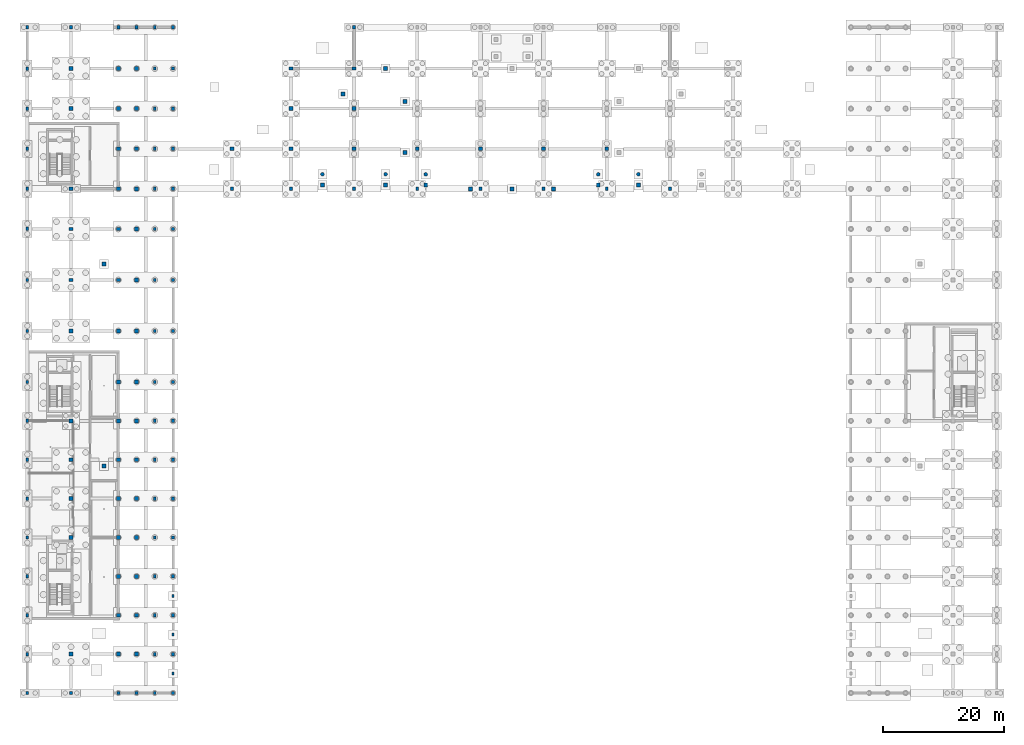
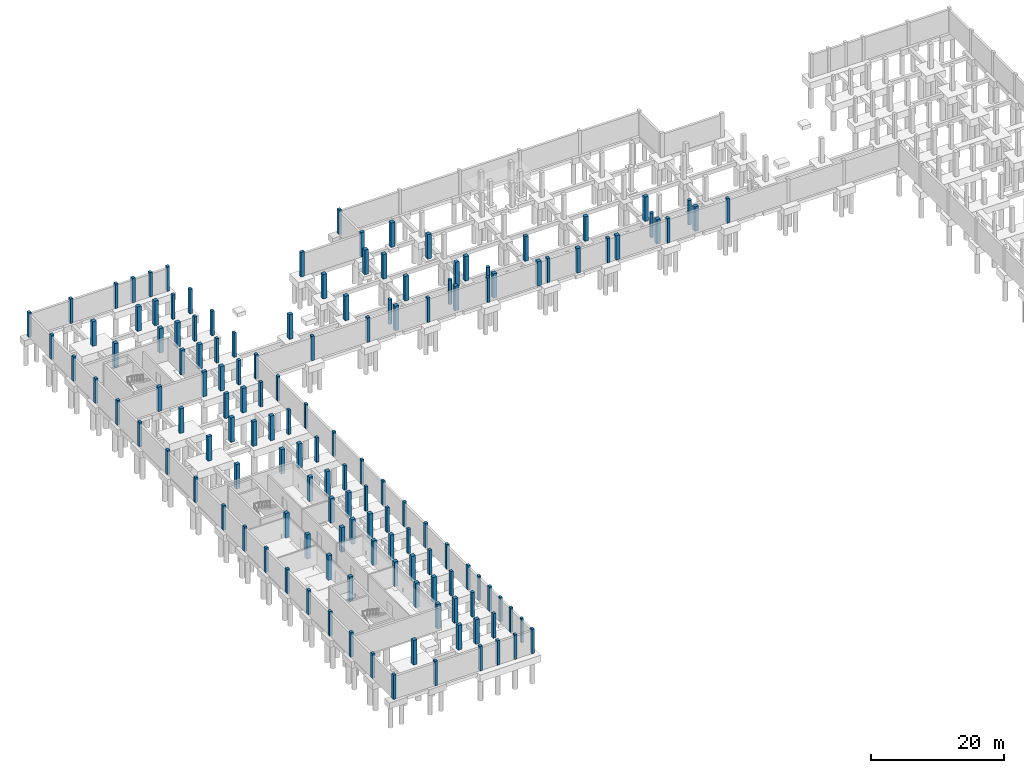
# One storey, part 8 of 21: 140 columns.
"""IFC4 building model written with IfcOpenShell, lengths in metres."""

from ifc_helpers import new_model, si_unit, derived_unit, direction, frame, origin, origin_2d, place, context, subcontext, project, spatial, rectangle, circle, extrude, material, material_profile, profile_set, type_object, element, save


model = new_model("IFC4")

# Units and contexts
model_context = context("Model", 3, precision=1e-05, world=origin(), true_north=direction((0.0, 1.0)))
body_context = subcontext(model_context, "Body", "Model", "MODEL_VIEW")
ifc_project = project(units=[si_unit("LENGTHUNIT", "METRE"), si_unit("AREAUNIT", "SQUARE_METRE"), si_unit("VOLUMEUNIT", "CUBIC_METRE"), si_unit("PLANEANGLEUNIT", "RADIAN"), si_unit("MASSUNIT", "GRAM", prefix="KILO"), derived_unit("THERMALTRANSMITTANCEUNIT", [(si_unit("POWERUNIT", "WATT"), 1), (si_unit("LENGTHUNIT", "METRE"), -2), (si_unit("THERMODYNAMICTEMPERATUREUNIT", "KELVIN"), -1)])], contexts=[model_context])

# Site, building, storey
site_placement = place(None, origin())
site = spatial("IfcSite", under=ifc_project, at=site_placement, CompositionType="ELEMENT")
building_placement = place(site_placement, origin())
building = spatial("IfcBuilding", under=site, at=building_placement, Name="Braskholm Square Health Centre", CompositionType="ELEMENT")
storey_placement = place(building_placement, frame((0.0, 0.0, -4.5)))
storey = spatial("IfcBuildingStorey", under=building, at=storey_placement, Name="B01", CompositionType="ELEMENT", Elevation=-4.5)

# Columns
ifc_material_1 = material(Name="Concrete C40/50 (f'c = 40 MPa)", Category="concrete")
ifc_material_profile_1 = material_profile(ifc_material_1, rectangle(XDim=0.64990234375, YDim=0.5, at=origin_2d()), Name="RC-650X500")
ifc_profile_set_1 = profile_set([ifc_material_profile_1], Name="Concrete C40/50 (f'c = 40 MPa)")
column_type_1 = type_object("IfcColumnType", Name="ColHallPier650x500", PredefinedType="COLUMN", material=ifc_profile_set_1)
for number, where, z_axis, x_axis, name in (
    (1, (47.60009765625, 107.0, 0.0), (0.0, 0.0, 1.0), (1.0, 0.0, 0.0), "Column 8/R B01"),
    (2, (58.0, 107.0, 0.0), (0.0, 0.0, 1.0), (1.0, 0.0, 0.0), "Column 9/R B01"),
):
    element("IfcColumn", number, at=place(storey_placement, frame(where, z_axis=z_axis, x_axis=x_axis)), inside=storey, type_object=column_type_1, Name=name, PredefinedType="COLUMN", context=body_context, shape_type="SweptSolid", body=[
        extrude(rectangle(XDim=0.64990234375, YDim=0.5, at=origin_2d()), origin(), (0.0, 0.0, 1.0), 4.5),
    ])
ifc_material_profile_2 = material_profile(ifc_material_1, rectangle(XDim=0.699951171875, YDim=0.550048828125, at=origin_2d()), Name="RC-700X550")
ifc_profile_set_2 = profile_set([ifc_material_profile_2], Name="Concrete C40/50 (f'c = 40 MPa)")
column_type_2 = type_object("IfcColumnType", Name="ColImagingHeavy700x550", PredefinedType="COLUMN", material=ifc_profile_set_2)
for number, where, z_axis, x_axis, name in (
    (3, (11.39990234375, 72.199951171875, 0.0), (0.0, 0.0, 1.0), (1.0, 0.0, 0.0), "Column 2/L B01"),
    (4, (11.39990234375, 80.60009765625, 0.0), (0.0, 0.0, 1.0), (1.0, 0.0, 0.0), "Column 2/M B01"),
    (5, (11.39990234375, 87.199951171875, 0.0), (0.0, 0.0, 1.0), (1.0, 0.0, 0.0), "Column 2/N B01"),
    (6, (19.199951171875, 72.199951171875, 0.0), (0.0, 0.0, 1.0), (1.0, 0.0, 0.0), "Column 3/L B01"),
    (7, (19.199951171875, 80.60009765625, 0.0), (0.0, 0.0, 1.0), (1.0, 0.0, 0.0), "Column 3/M B01"),
    (8, (19.199951171875, 87.199951171875, 0.0), (0.0, 0.0, 1.0), (1.0, 0.0, 0.0), "Column 3/N B01"),
    (9, (19.199951171875, 93.800048828125, 0.0), (0.0, 0.0, 1.0), (1.0, 0.0, 0.0), "Column 3/P B01"),
):
    element("IfcColumn", number, at=place(storey_placement, frame(where, z_axis=z_axis, x_axis=x_axis)), inside=storey, type_object=column_type_2, Name=name, PredefinedType="COLUMN", context=body_context, shape_type="SweptSolid", body=[
        extrude(rectangle(XDim=0.699951171875, YDim=0.550048828125, at=origin_2d()), origin(), (0.0, 0.0, 1.0), 4.5),
    ])
ifc_material_profile_3 = material_profile(ifc_material_1, rectangle(XDim=0.64990234375, YDim=0.64990234375, at=origin_2d()), Name="RC-650X650")
ifc_profile_set_3 = profile_set([ifc_material_profile_3], Name="Concrete C40/50 (f'c = 40 MPa)")
column_type_3 = type_object("IfcColumnType", Name="ColInteriorBase650", PredefinedType="COLUMN", material=ifc_profile_set_3)
for number, where, z_axis, x_axis, name in (
    (10, (11.39990234375, 10.60009765625, 0.0), (0.0, 0.0, 1.0), (1.0, 0.0, 0.0), "Column 2/B B01"),
    (11, (11.39990234375, 29.800048828125, 0.0), (0.0, 0.0, 1.0), (1.0, 0.0, 0.0), "Column 2/E B01"),
    (12, (11.39990234375, 36.199951171875, 0.0), (0.0, 0.0, 1.0), (1.0, 0.0, 0.0), "Column 2/F B01"),
    (13, (11.39990234375, 42.60009765625, 0.0), (0.0, 0.0, 1.0), (1.0, 0.0, 0.0), "Column 2/G B01"),
    (14, (11.39990234375, 49.0, 0.0), (0.0, 0.0, 1.0), (1.0, 0.0, 0.0), "Column 2/H B01"),
    (15, (11.39990234375, 63.800048828125, 0.0), (0.0, 0.0, 1.0), (1.0, 0.0, 0.0), "Column 2/K B01"),
    (16, (11.39990234375, 100.39990234375, 0.0), (0.0, 0.0, 1.0), (1.0, 0.0, 0.0), "Column 2/Q B01"),
    (17, (11.39990234375, 107.0, 0.0), (0.0, 0.0, 1.0), (1.0, 0.0, 0.0), "Column 2/R B01"),
    (18, (19.199951171875, 10.60009765625, 0.0), (0.0, 0.0, 1.0), (1.0, 0.0, 0.0), "Column 3/B B01"),
    (19, (19.199951171875, 17.0, 0.0), (0.0, 0.0, 1.0), (1.0, 0.0, 0.0), "Column 3/C B01"),
    (20, (19.199951171875, 23.39990234375, 0.0), (0.0, 0.0, 1.0), (1.0, 0.0, 0.0), "Column 3/D B01"),
    (21, (19.199951171875, 29.800048828125, 0.0), (0.0, 0.0, 1.0), (1.0, 0.0, 0.0), "Column 3/E B01"),
    (22, (19.199951171875, 36.199951171875, 0.0), (0.0, 0.0, 1.0), (1.0, 0.0, 0.0), "Column 3/F B01"),
    (23, (19.199951171875, 42.60009765625, 0.0), (0.0, 0.0, 1.0), (1.0, 0.0, 0.0), "Column 3/G B01"),
    (24, (19.199951171875, 49.0, 0.0), (0.0, 0.0, 1.0), (1.0, 0.0, 0.0), "Column 3/H B01"),
    (25, (19.199951171875, 55.39990234375, 0.0), (0.0, 0.0, 1.0), (1.0, 0.0, 0.0), "Column 3/J B01"),
    (26, (19.199951171875, 63.800048828125, 0.0), (0.0, 0.0, 1.0), (1.0, 0.0, 0.0), "Column 3/K B01"),
    (27, (19.199951171875, 100.39990234375, 0.0), (0.0, 0.0, 1.0), (1.0, 0.0, 0.0), "Column 3/Q B01"),
    (28, (19.199951171875, 107.0, 0.0), (0.0, 0.0, 1.0), (1.0, 0.0, 0.0), "Column 3/R B01"),
    (29, (22.199951171875, 10.60009765625, 0.0), (0.0, 0.0, 1.0), (1.0, 0.0, 0.0), "Column 4/B B01"),
    (30, (22.199951171875, 17.0, 0.0), (0.0, 0.0, 1.0), (1.0, 0.0, 0.0), "Column 4/C B01"),
    (31, (22.199951171875, 23.39990234375, 0.0), (0.0, 0.0, 1.0), (1.0, 0.0, 0.0), "Column 4/D B01"),
    (32, (22.199951171875, 29.800048828125, 0.0), (0.0, 0.0, 1.0), (1.0, 0.0, 0.0), "Column 4/E B01"),
    (33, (22.199951171875, 36.199951171875, 0.0), (0.0, 0.0, 1.0), (1.0, 0.0, 0.0), "Column 4/F B01"),
    (34, (22.199951171875, 42.60009765625, 0.0), (0.0, 0.0, 1.0), (1.0, 0.0, 0.0), "Column 4/G B01"),
    (35, (22.199951171875, 49.0, 0.0), (0.0, 0.0, 1.0), (1.0, 0.0, 0.0), "Column 4/H B01"),
    (36, (22.199951171875, 55.39990234375, 0.0), (0.0, 0.0, 1.0), (1.0, 0.0, 0.0), "Column 4/J B01"),
    (37, (22.199951171875, 63.800048828125, 0.0), (0.0, 0.0, 1.0), (1.0, 0.0, 0.0), "Column 4/K B01"),
    (38, (22.199951171875, 72.199951171875, 0.0), (0.0, 0.0, 1.0), (1.0, 0.0, 0.0), "Column 4/L B01"),
    (39, (22.199951171875, 80.60009765625, 0.0), (0.0, 0.0, 1.0), (1.0, 0.0, 0.0), "Column 4/M B01"),
    (40, (22.199951171875, 87.199951171875, 0.0), (0.0, 0.0, 1.0), (1.0, 0.0, 0.0), "Column 4/N B01"),
    (41, (22.199951171875, 93.800048828125, 0.0), (0.0, 0.0, 1.0), (1.0, 0.0, 0.0), "Column 4/P B01"),
    (42, (22.199951171875, 100.39990234375, 0.0), (0.0, 0.0, 1.0), (1.0, 0.0, 0.0), "Column 4/Q B01"),
    (43, (22.199951171875, 107.0, 0.0), (0.0, 0.0, 1.0), (1.0, 0.0, 0.0), "Column 4/R B01"),
    (44, (37.89990234375, 93.800048828125, 0.0), (0.0, 0.0, 1.0), (1.0, 0.0, 0.0), "Column 7/P B01"),
    (45, (47.60009765625, 93.800048828125, 0.0), (0.0, 0.0, 1.0), (1.0, 0.0, 0.0), "Column 8/P B01"),
    (46, (47.60009765625, 100.39990234375, 0.0), (0.0, 0.0, 1.0), (1.0, 0.0, 0.0), "Column 8/Q B01"),
    (47, (58.0, 93.800048828125, 0.0), (0.0, 0.0, 1.0), (1.0, 0.0, 0.0), "Column 9/P B01"),
    (48, (58.0, 100.39990234375, 0.0), (0.0, 0.0, 1.0), (1.0, 0.0, 0.0), "Column 9/Q B01"),
    (49, (68.39990234375, 93.800048828125, 0.0), (0.0, 0.0, 1.0), (1.0, 0.0, 0.0), "Column 10/P B01"),
    (50, (78.800048828125, 93.800048828125, 0.0), (0.0, 0.0, 1.0), (1.0, 0.0, 0.0), "Column 11/P B01"),
    (51, (89.199951171875, 93.800048828125, 0.0), (0.0, 0.0, 1.0), (1.0, 0.0, 0.0), "Column 12/P B01"),
    (52, (99.60009765625, 93.800048828125, 0.0), (0.0, 0.0, 1.0), (1.0, 0.0, 0.0), "Column 13/P B01"),
    (53, (52.800048828125, 87.800048828125, 0.0), (0.0, 0.0, 1.0), (1.0, 0.0, 0.0), "Column CS1A B01"),
    (54, (63.199951171875, 87.800048828125, 0.0), (0.0, 0.0, 1.0), (1.0, 0.0, 0.0), "Column CS1B B01"),
    (55, (69.800048828125, 87.800048828125, 0.0), (0.0, 0.0, 1.0), (1.0, 0.0, 0.0), "Column CS1C B01"),
    (56, (98.199951171875, 87.800048828125, 0.0), (0.0, 0.0, 1.0), (1.0, 0.0, 0.0), "Column CS1D B01"),
    (57, (104.800048828125, 87.800048828125, 0.0), (0.0, 0.0, 1.0), (1.0, 0.0, 0.0), "Column CS1E B01"),
    (58, (77.199951171875, 87.199951171875, 0.0), (0.0, 0.0, 1.0), (1.0, 0.0, 0.0), "Column CS2A B01"),
    (59, (84.0, 87.199951171875, 0.0), (0.0, 0.0, 1.0), (1.0, 0.0, 0.0), "Column CS2B B01"),
    (60, (90.800048828125, 87.199951171875, 0.0), (0.0, 0.0, 1.0), (1.0, 0.0, 0.0), "Column CS2C B01"),
    (61, (63.199951171875, 107.0, 0.0), (0.0, 0.0, 1.0), (1.0, 0.0, 0.0), "Column CS2D B01"),
    (62, (66.39990234375, 93.199951171875, 0.0), (0.0, 0.0, 1.0), (1.0, 0.0, 0.0), "Column CS3A B01"),
    (63, (16.800048828125, 41.60009765625, 0.0), (0.0, 0.0, 1.0), (1.0, 0.0, 0.0), "Column CS3C B01"),
    (64, (16.800048828125, 74.800048828125, 0.0), (0.0, 0.0, 1.0), (1.0, 0.0, 0.0), "Column CS3E B01"),
    (65, (56.199951171875, 102.800048828125, 0.0), (0.0, 0.0, 1.0), (1.0, 0.0, 0.0), "Column CS3G B01"),
    (66, (66.39990234375, 101.60009765625, 0.0), (0.0, 0.0, 1.0), (1.0, 0.0, 0.0), "Column CS3J B01"),
):
    element("IfcColumn", number, at=place(storey_placement, frame(where, z_axis=z_axis, x_axis=x_axis)), inside=storey, type_object=column_type_3, Name=name, PredefinedType="COLUMN", context=body_context, shape_type="SweptSolid", body=[
        extrude(rectangle(XDim=0.64990234375, YDim=0.64990234375, at=origin_2d()), origin(), (0.0, 0.0, 1.0), 4.5),
    ])
ifc_material_2 = material(Name="Precast concrete C40/50 architectural white", Category="concrete")
ifc_material_profile_4 = material_profile(ifc_material_2, rectangle(XDim=0.3798828125, YDim=0.47998046875, at=origin_2d()), Name="RC-380X480")
ifc_profile_set_4 = profile_set([ifc_material_profile_4], Name="Precast concrete C40/50 architectural white")
column_type_4 = type_object("IfcColumnType", Name="ColPilasterKasota380x480", PredefinedType="PILASTER", material=ifc_profile_set_4)
for number, where, z_axis, x_axis, name in (
    (67, (28.199951171875, 7.39990234375, 0.0), (0.0, 0.0, 1.0), (1.0, 0.0, 0.0), "Column PIL01 B01"),
    (68, (28.199951171875, 13.800048828125, 0.0), (0.0, 0.0, 1.0), (1.0, 0.0, 0.0), "Column PIL02 B01"),
    (69, (28.199951171875, 20.199951171875, 0.0), (0.0, 0.0, 1.0), (1.0, 0.0, 0.0), "Column PIL03 B01"),
):
    element("IfcColumn", number, at=place(storey_placement, frame(where, z_axis=z_axis, x_axis=x_axis)), inside=storey, type_object=column_type_4, Name=name, PredefinedType="PILASTER", context=body_context, shape_type="SweptSolid", body=[
        extrude(rectangle(XDim=0.3798828125, YDim=0.47998046875, at=origin_2d()), origin(), (0.0, 0.0, 1.0), 4.5),
    ])
ifc_material_profile_5 = material_profile(ifc_material_2, rectangle(XDim=0.43994140625, YDim=0.5400390625, at=origin_2d()), Name="RC-440X540")
ifc_profile_set_5 = profile_set([ifc_material_profile_5], Name="Precast concrete C40/50 architectural white")
column_type_5 = type_object("IfcColumnType", Name="ColPilasterKasota440x540", PredefinedType="PILASTER", material=ifc_profile_set_5)
for number, where, z_axis, x_axis, name in (
    (70, (25.199951171875, 4.199951171875, 0.0), (0.0, 0.0, 1.0), (1.0, 0.0, 0.0), "Column 5/A B01"),
    (71, (25.199951171875, 10.60009765625, 0.0), (0.0, 0.0, 1.0), (1.0, 0.0, 0.0), "Column 5/B B01"),
    (72, (25.199951171875, 17.0, 0.0), (0.0, 0.0, 1.0), (1.0, 0.0, 0.0), "Column 5/C B01"),
    (73, (25.199951171875, 23.39990234375, 0.0), (0.0, 0.0, 1.0), (1.0, 0.0, 0.0), "Column 5/D B01"),
    (74, (25.199951171875, 29.800048828125, 0.0), (0.0, 0.0, 1.0), (1.0, 0.0, 0.0), "Column 5/E B01"),
    (75, (25.199951171875, 36.199951171875, 0.0), (0.0, 0.0, 1.0), (1.0, 0.0, 0.0), "Column 5/F B01"),
    (76, (25.199951171875, 42.60009765625, 0.0), (0.0, 0.0, 1.0), (1.0, 0.0, 0.0), "Column 5/G B01"),
    (77, (25.199951171875, 49.0, 0.0), (0.0, 0.0, 1.0), (1.0, 0.0, 0.0), "Column 5/H B01"),
    (78, (25.199951171875, 55.39990234375, 0.0), (0.0, 0.0, 1.0), (1.0, 0.0, 0.0), "Column 5/J B01"),
    (79, (25.199951171875, 63.800048828125, 0.0), (0.0, 0.0, 1.0), (1.0, 0.0, 0.0), "Column 5/K B01"),
    (80, (25.199951171875, 72.199951171875, 0.0), (0.0, 0.0, 1.0), (1.0, 0.0, 0.0), "Column 5/L B01"),
    (81, (25.199951171875, 80.60009765625, 0.0), (0.0, 0.0, 1.0), (1.0, 0.0, 0.0), "Column 5/M B01"),
    (82, (25.199951171875, 87.199951171875, 0.0), (0.0, 0.0, 1.0), (1.0, 0.0, 0.0), "Column 5/N B01"),
    (83, (25.199951171875, 93.800048828125, 0.0), (0.0, 0.0, 1.0), (1.0, 0.0, 0.0), "Column 5/P B01"),
    (84, (25.199951171875, 100.39990234375, 0.0), (0.0, 0.0, 1.0), (1.0, 0.0, 0.0), "Column 5/Q B01"),
    (85, (25.199951171875, 107.0, 0.0), (0.0, 0.0, 1.0), (1.0, 0.0, 0.0), "Column 5/R B01"),
    (86, (25.199951171875, 113.800048828125, 0.0), (0.0, 0.0, 1.0), (1.0, 0.0, 0.0), "Column 5/S B01"),
    (87, (28.199951171875, 4.199951171875, 0.0), (0.0, 0.0, 1.0), (1.0, 0.0, 0.0), "Column 6/A B01"),
    (88, (28.199951171875, 10.60009765625, 0.0), (0.0, 0.0, 1.0), (1.0, 0.0, 0.0), "Column 6/B B01"),
    (89, (28.199951171875, 17.0, 0.0), (0.0, 0.0, 1.0), (1.0, 0.0, 0.0), "Column 6/C B01"),
    (90, (28.199951171875, 23.39990234375, 0.0), (0.0, 0.0, 1.0), (1.0, 0.0, 0.0), "Column 6/D B01"),
    (91, (28.199951171875, 29.800048828125, 0.0), (0.0, 0.0, 1.0), (1.0, 0.0, 0.0), "Column 6/E B01"),
    (92, (28.199951171875, 36.199951171875, 0.0), (0.0, 0.0, 1.0), (1.0, 0.0, 0.0), "Column 6/F B01"),
    (93, (28.199951171875, 42.60009765625, 0.0), (0.0, 0.0, 1.0), (1.0, 0.0, 0.0), "Column 6/G B01"),
    (94, (28.199951171875, 49.0, 0.0), (0.0, 0.0, 1.0), (1.0, 0.0, 0.0), "Column 6/H B01"),
    (95, (28.199951171875, 55.39990234375, 0.0), (0.0, 0.0, 1.0), (1.0, 0.0, 0.0), "Column 6/J B01"),
    (96, (28.199951171875, 63.800048828125, 0.0), (0.0, 0.0, 1.0), (1.0, 0.0, 0.0), "Column 6/K B01"),
    (97, (28.199951171875, 72.199951171875, 0.0), (0.0, 0.0, 1.0), (1.0, 0.0, 0.0), "Column 6/L B01"),
    (98, (28.199951171875, 80.60009765625, 0.0), (0.0, 0.0, 1.0), (1.0, 0.0, 0.0), "Column 6/M B01"),
    (99, (28.199951171875, 93.800048828125, 0.0), (0.0, 0.0, 1.0), (1.0, 0.0, 0.0), "Column 6/P B01"),
    (100, (28.199951171875, 100.39990234375, 0.0), (0.0, 0.0, 1.0), (1.0, 0.0, 0.0), "Column 6/Q B01"),
    (101, (28.199951171875, 107.0, 0.0), (0.0, 0.0, 1.0), (1.0, 0.0, 0.0), "Column 6/R B01"),
    (102, (28.199951171875, 113.800048828125, 0.0), (0.0, 0.0, 1.0), (1.0, 0.0, 0.0), "Column 6/S B01"),
):
    element("IfcColumn", number, at=place(storey_placement, frame(where, z_axis=z_axis, x_axis=x_axis)), inside=storey, type_object=column_type_5, Name=name, PredefinedType="PILASTER", context=body_context, shape_type="SweptSolid", body=[
        extrude(rectangle(XDim=0.43994140625, YDim=0.5400390625, at=origin_2d()), origin(), (0.0, 0.0, 1.0), 4.5),
    ])
ifc_material_profile_6 = material_profile(ifc_material_2, rectangle(XDim=0.4599609375, YDim=0.56005859375, at=origin_2d()), Name="RC-460X560")
ifc_profile_set_6 = profile_set([ifc_material_profile_6], Name="Precast concrete C40/50 architectural white")
column_type_6 = type_object("IfcColumnType", Name="ColPrecastFrame460x560", PredefinedType="COLUMN", material=ifc_profile_set_6)
for number, where, z_axis, x_axis, name in (
    (103, (4.199951171875, 4.199951171875, 0.0), (0.0, 0.0, 1.0), (1.0, 0.0, 0.0), "Column 1/A B01"),
    (104, (4.199951171875, 10.60009765625, 0.0), (0.0, 0.0, 1.0), (1.0, 0.0, 0.0), "Column 1/B B01"),
    (105, (4.199951171875, 17.0, 0.0), (0.0, 0.0, 1.0), (1.0, 0.0, 0.0), "Column 1/C B01"),
    (106, (4.199951171875, 23.39990234375, 0.0), (0.0, 0.0, 1.0), (1.0, 0.0, 0.0), "Column 1/D B01"),
    (107, (4.199951171875, 29.800048828125, 0.0), (0.0, 0.0, 1.0), (1.0, 0.0, 0.0), "Column 1/E B01"),
    (108, (4.199951171875, 36.199951171875, 0.0), (0.0, 0.0, 1.0), (1.0, 0.0, 0.0), "Column 1/F B01"),
    (109, (4.199951171875, 42.60009765625, 0.0), (0.0, 0.0, 1.0), (1.0, 0.0, 0.0), "Column 1/G B01"),
    (110, (4.199951171875, 49.0, 0.0), (0.0, 0.0, 1.0), (1.0, 0.0, 0.0), "Column 1/H B01"),
    (111, (4.199951171875, 55.39990234375, 0.0), (0.0, 0.0, 1.0), (1.0, 0.0, 0.0), "Column 1/J B01"),
    (112, (4.199951171875, 63.800048828125, 0.0), (0.0, 0.0, 1.0), (1.0, 0.0, 0.0), "Column 1/K B01"),
    (113, (4.199951171875, 72.199951171875, 0.0), (0.0, 0.0, 1.0), (1.0, 0.0, 0.0), "Column 1/L B01"),
    (114, (4.199951171875, 80.60009765625, 0.0), (0.0, 0.0, 1.0), (1.0, 0.0, 0.0), "Column 1/M B01"),
    (115, (4.199951171875, 87.199951171875, 0.0), (0.0, 0.0, 1.0), (1.0, 0.0, 0.0), "Column 1/N B01"),
    (116, (4.199951171875, 93.800048828125, 0.0), (0.0, 0.0, 1.0), (1.0, 0.0, 0.0), "Column 1/P B01"),
    (117, (4.199951171875, 100.39990234375, 0.0), (0.0, 0.0, 1.0), (1.0, 0.0, 0.0), "Column 1/Q B01"),
    (118, (4.199951171875, 107.0, 0.0), (0.0, 0.0, 1.0), (1.0, 0.0, 0.0), "Column 1/R B01"),
    (119, (4.199951171875, 113.800048828125, 0.0), (0.0, 0.0, 1.0), (1.0, 0.0, 0.0), "Column 1/S B01"),
    (120, (11.39990234375, 4.199951171875, 0.0), (0.0, 0.0, 1.0), (1.0, 0.0, 0.0), "Column 2/A B01"),
    (121, (11.39990234375, 113.800048828125, 0.0), (0.0, 0.0, 1.0), (1.0, 0.0, 0.0), "Column 2/S B01"),
    (122, (19.199951171875, 4.199951171875, 0.0), (0.0, 0.0, 1.0), (1.0, 0.0, 0.0), "Column 3/A B01"),
    (123, (19.199951171875, 113.800048828125, 0.0), (0.0, 0.0, 1.0), (1.0, 0.0, 0.0), "Column 3/S B01"),
    (124, (22.199951171875, 4.199951171875, 0.0), (0.0, 0.0, 1.0), (1.0, 0.0, 0.0), "Column 4/A B01"),
    (125, (22.199951171875, 113.800048828125, 0.0), (0.0, 0.0, 1.0), (1.0, 0.0, 0.0), "Column 4/S B01"),
    (126, (28.199951171875, 87.199951171875, 0.0), (0.0, 0.0, 1.0), (1.0, 0.0, 0.0), "Column 6/N B01"),
    (127, (37.89990234375, 87.199951171875, 0.0), (0.0, 0.0, 1.0), (1.0, 0.0, 0.0), "Column 7/N B01"),
    (128, (47.60009765625, 87.199951171875, 0.0), (0.0, 0.0, 1.0), (1.0, 0.0, 0.0), "Column 8/N B01"),
    (129, (58.0, 87.199951171875, 0.0), (0.0, 0.0, 1.0), (1.0, 0.0, 0.0), "Column 9/N B01"),
    (130, (58.0, 113.800048828125, 0.0), (0.0, 0.0, 1.0), (1.0, 0.0, 0.0), "Column 9/S B01"),
    (131, (68.39990234375, 87.199951171875, 0.0), (0.0, 0.0, 1.0), (1.0, 0.0, 0.0), "Column 10/N B01"),
    (132, (78.800048828125, 87.199951171875, 0.0), (0.0, 0.0, 1.0), (1.0, 0.0, 0.0), "Column 11/N B01"),
    (133, (89.199951171875, 87.199951171875, 0.0), (0.0, 0.0, 1.0), (1.0, 0.0, 0.0), "Column 12/N B01"),
    (134, (99.60009765625, 87.199951171875, 0.0), (0.0, 0.0, 1.0), (1.0, 0.0, 0.0), "Column 13/N B01"),
    (135, (110.0, 87.199951171875, 0.0), (0.0, 0.0, 1.0), (1.0, 0.0, 0.0), "Column 14/N B01"),
):
    element("IfcColumn", number, at=place(storey_placement, frame(where, z_axis=z_axis, x_axis=x_axis)), inside=storey, type_object=column_type_6, Name=name, PredefinedType="COLUMN", context=body_context, shape_type="SweptSolid", body=[
        extrude(rectangle(XDim=0.4599609375, YDim=0.56005859375, at=origin_2d()), origin(), (0.0, 0.0, 1.0), 4.5),
    ])
ifc_material_profile_7 = material_profile(ifc_material_1, circle(Radius=0.300048828125, at=origin_2d()), Name="RC-RND-600")
ifc_profile_set_7 = profile_set([ifc_material_profile_7], Name="Concrete C40/50 (f'c = 40 MPa)")
column_type_7 = type_object("IfcColumnType", Name="ColRoundConcourse600", PredefinedType="COLUMN", material=ifc_profile_set_7)
for number, where, z_axis, x_axis, name in (
    (136, (52.800048828125, 89.60009765625, 0.0), (0.0, 0.0, 1.0), (1.0, 0.0, 0.0), "Column RC01 B01"),
    (137, (63.199951171875, 89.60009765625, 0.0), (0.0, 0.0, 1.0), (1.0, 0.0, 0.0), "Column RC02 B01"),
    (138, (69.800048828125, 89.60009765625, 0.0), (0.0, 0.0, 1.0), (1.0, 0.0, 0.0), "Column RC03 B01"),
    (139, (98.199951171875, 89.60009765625, 0.0), (0.0, 0.0, 1.0), (1.0, 0.0, 0.0), "Column RC04 B01"),
    (140, (104.800048828125, 89.60009765625, 0.0), (0.0, 0.0, 1.0), (1.0, 0.0, 0.0), "Column RC05 B01"),
):
    element("IfcColumn", number, at=place(storey_placement, frame(where, z_axis=z_axis, x_axis=x_axis)), inside=storey, type_object=column_type_7, Name=name, PredefinedType="COLUMN", context=body_context, shape_type="SweptSolid", body=[
        extrude(circle(Radius=0.300048828125, at=origin_2d()), origin(), (0.0, 0.0, 1.0), 4.5),
    ])

save(model, "model.ifc")
